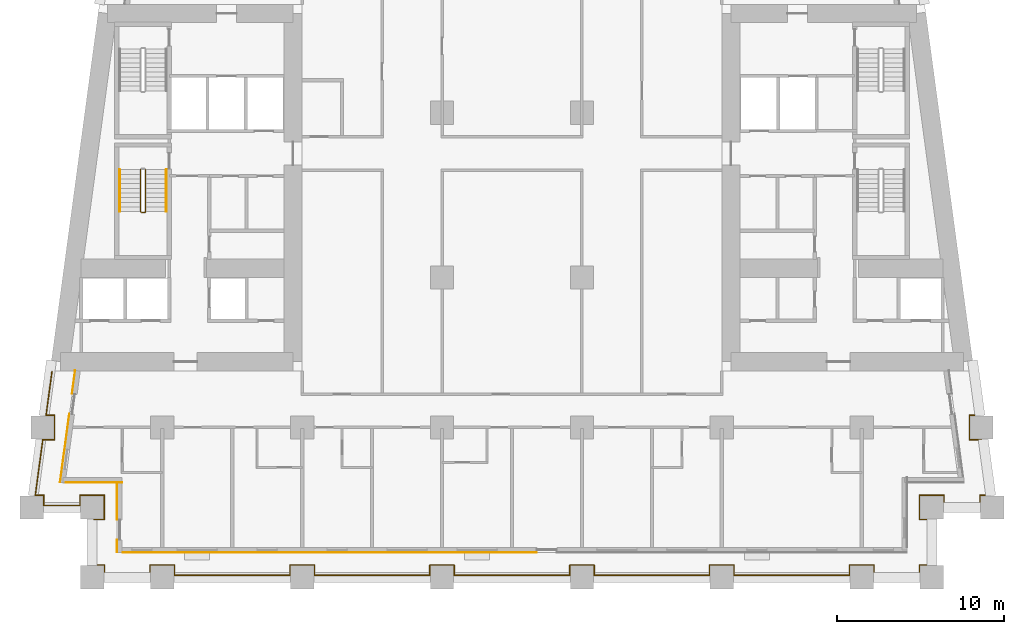
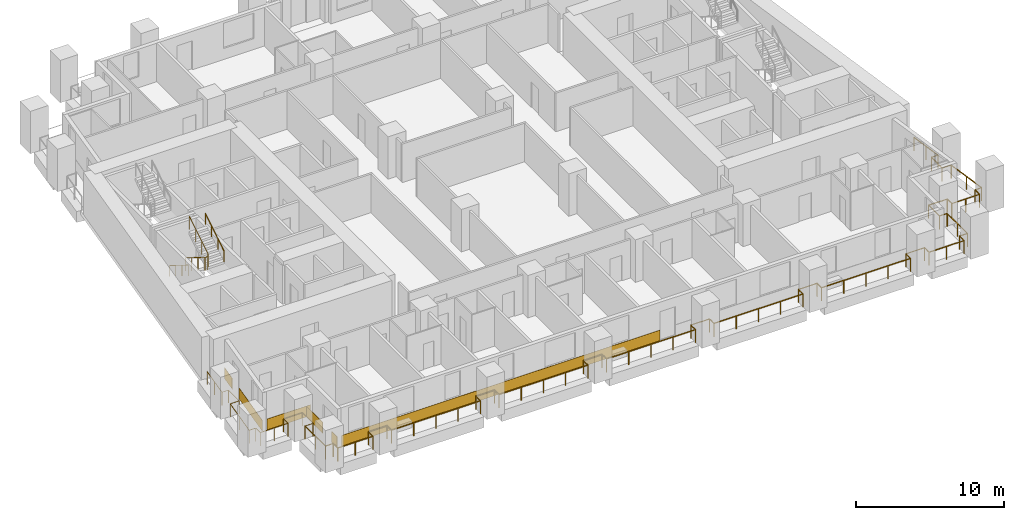
# One storey, part 8 of 12: 6 coverings, 5 railings.
"""IFC4 building model written with IfcOpenShell, lengths in metres."""

from ifc_helpers import new_model, si_unit, direction, frame, origin, origin_2d, place, context, subcontext, project, spatial, rectangle, circle, extrude, material, layer, layer_set, type_object, element, save


model = new_model("IFC4")

# Units and contexts
model_context = context("Model", 3, precision=1e-05, world=origin(), true_north=direction((0.0, 1.0)))
body_context = subcontext(model_context, "Body", "Model", "MODEL_VIEW")
ifc_project = project(units=[si_unit("LENGTHUNIT", "METRE"), si_unit("AREAUNIT", "SQUARE_METRE"), si_unit("VOLUMEUNIT", "CUBIC_METRE"), si_unit("PLANEANGLEUNIT", "RADIAN"), si_unit("MASSUNIT", "GRAM", prefix="KILO")], contexts=[model_context])

# Site, building, storey
site_placement = place(None, origin())
site = spatial("IfcSite", under=ifc_project, at=site_placement, CompositionType="ELEMENT")
building_placement = place(site_placement, origin())
building = spatial("IfcBuilding", under=site, at=building_placement, Name="Candeia Pilgrim Tower and Theatre", CompositionType="ELEMENT")
storey_placement = place(building_placement, frame((0.0, 0.0, 53.0)))
storey = spatial("IfcBuildingStorey", under=building, at=storey_placement, Name="L10", CompositionType="ELEMENT", Elevation=53.0)

# Railings
ifc_material_1 = material(Name="Stainless steel balustrade", Category="steel")
railing_type_1 = type_object("IfcRailingType", Name="G1 loggia guard 1100", PredefinedType="GUARDRAIL", material=ifc_material_1)
railing_1_placement = place(storey_placement, frame((88.320068359375, 101.469970703125, 0.0)))
element("IfcRailing", 1, at=railing_1_placement, inside=storey, type_object=railing_type_1, Name="Guard L10.1", PredefinedType="GUARDRAIL", context=body_context, shape_type="SweptSolid", body=[
    extrude(circle(Radius=0.02392578125, at=origin_2d()), frame((0.0, 0.0, 1.076171875), z_axis=(1.0, 0.0, 0.0), x_axis=(0.0, 1.0, 0.0)), (0.0, 0.0, 1.0), 0.60986328125),
    extrude(circle(Radius=0.02392578125, at=origin_2d()), frame((0.60986328125, 0.0, 1.076171875), z_axis=(0.0, 1.0, 0.0), x_axis=(-1.0, 0.0, 0.0)), (0.0, 0.0, 1.0), 1.4599609375),
    extrude(circle(Radius=0.02392578125, at=origin_2d()), frame((0.60986328125, 1.4599609375, 1.076171875), z_axis=(-1.0, 0.0, 0.0), x_axis=(0.0, -1.0, 0.0)), (0.0, 0.0, 1.0), 1.4599609375),
    extrude(circle(Radius=0.02392578125, at=origin_2d()), frame((-0.85009765625, 1.4599609375, 1.076171875), z_axis=(0.0, -1.0, 0.0), x_axis=(1.0, 0.0, 0.0)), (0.0, 0.0, 1.0), 0.60986328125),
    extrude(circle(Radius=0.02392578125, at=origin_2d()), frame((-0.85009765625, 0.85009765625, 1.076171875), z_axis=(-1.0, 0.0, 0.0), x_axis=(0.0, -1.0, 0.0)), (0.0, 0.0, 1.0), 2.174560546875),
    extrude(circle(Radius=0.02392578125, at=origin_2d()), frame((-3.024658203125, 0.85009765625, 1.076171875), z_axis=(0.0, 1.0, 0.0), x_axis=(-1.0, 0.0, 0.0)), (0.0, 0.0, 1.0), 0.60986328125),
    extrude(circle(Radius=0.02392578125, at=origin_2d()), frame((-3.024658203125, 1.4599609375, 1.076171875), z_axis=(-1.0, 0.0, 0.0), x_axis=(0.0, -1.0, 0.0)), (0.0, 0.0, 1.0), 0.5107421875),
    extrude(circle(Radius=0.02392578125, at=origin_2d()), frame((-3.535400390625, 1.4599609375, 1.076171875), z_axis=(0.133435273035, 0.991057530071, 0.0), x_axis=(-0.991057530071, 0.133435273035, 0.0)), (0.0, 0.0, 1.0), 3.3701171875),
    extrude(circle(Radius=0.02392578125, at=origin_2d()), frame((-3.085693359375, 4.800048828125, 1.076171875), z_axis=(1.0, 0.0, 0.0), x_axis=(0.0, 1.0, 0.0)), (0.0, 0.0, 1.0), 0.707275390625),
    extrude(circle(Radius=0.02392578125, at=origin_2d()), frame((-2.37841796875, 4.800048828125, 1.076171875), z_axis=(0.0, 1.0, 0.0), x_axis=(-1.0, 0.0, 0.0)), (0.0, 0.0, 1.0), 1.4599609375),
    extrude(circle(Radius=0.02392578125, at=origin_2d()), frame((-2.37841796875, 6.260009765625, 1.076171875), z_axis=(-1.0, 0.0, 0.0), x_axis=(0.0, -1.0, 0.0)), (0.0, 0.0, 1.0), 0.5107421875),
    extrude(circle(Radius=0.02392578125, at=origin_2d()), frame((-2.88916015625, 6.260009765625, 1.076171875), z_axis=(0.133439920495, 0.991056904329, 0.0), x_axis=(-0.991056904329, 0.133439920495, 0.0)), (0.0, 0.0, 1.0), 2.643798828125),
    extrude(circle(Radius=0.02099609375, at=origin_2d()), origin(), (0.0, 0.0, 1.0), 1.052001953125),
    extrude(circle(Radius=0.02099609375, at=origin_2d()), frame((0.60986328125, 0.0, 0.0)), (0.0, 0.0, 1.0), 1.052001953125),
    extrude(circle(Radius=0.02099609375, at=origin_2d()), frame((0.60986328125, 1.4599609375, 0.0)), (0.0, 0.0, 1.0), 1.052001953125),
    extrude(circle(Radius=0.02099609375, at=origin_2d()), frame((-0.85009765625, 1.4599609375, 0.0)), (0.0, 0.0, 1.0), 1.052001953125),
    extrude(circle(Radius=0.02099609375, at=origin_2d()), frame((-0.85009765625, 0.85009765625, 0.0)), (0.0, 0.0, 1.0), 1.052001953125),
    extrude(circle(Radius=0.02099609375, at=origin_2d()), frame((-1.9375, 0.85009765625, 0.0)), (0.0, 0.0, 1.0), 1.052001953125),
    extrude(circle(Radius=0.02099609375, at=origin_2d()), frame((-3.024658203125, 0.85009765625, 0.0)), (0.0, 0.0, 1.0), 1.052001953125),
    extrude(circle(Radius=0.02099609375, at=origin_2d()), frame((-3.024658203125, 1.4599609375, 0.0)), (0.0, 0.0, 1.0), 1.052001953125),
    extrude(circle(Radius=0.02099609375, at=origin_2d()), frame((-3.535400390625, 1.4599609375, 0.0)), (0.0, 0.0, 1.0), 1.052001953125),
    extrude(circle(Radius=0.02099609375, at=origin_2d()), frame((-3.310546875, 3.1298828125, 0.0)), (0.0, 0.0, 1.0), 1.052001953125),
    extrude(circle(Radius=0.02099609375, at=origin_2d()), frame((-3.085693359375, 4.800048828125, 0.0)), (0.0, 0.0, 1.0), 1.052001953125),
    extrude(circle(Radius=0.02099609375, at=origin_2d()), frame((-2.37841796875, 4.800048828125, 0.0)), (0.0, 0.0, 1.0), 1.052001953125),
    extrude(circle(Radius=0.02099609375, at=origin_2d()), frame((-2.37841796875, 6.260009765625, 0.0)), (0.0, 0.0, 1.0), 1.052001953125),
    extrude(circle(Radius=0.02099609375, at=origin_2d()), frame((-2.88916015625, 6.260009765625, 0.0)), (0.0, 0.0, 1.0), 1.052001953125),
    extrude(circle(Radius=0.02099609375, at=origin_2d()), frame((-2.712890625, 7.570068359375, 0.0)), (0.0, 0.0, 1.0), 1.052001953125),
    extrude(circle(Radius=0.02099609375, at=origin_2d()), frame((-2.536376953125, 8.880126953125, 0.0)), (0.0, 0.0, 1.0), 1.052001953125),
])
railing_2_placement = place(storey_placement, frame((141.016357421875, 110.35009765625, 0.0)))
element("IfcRailing", 2, at=railing_2_placement, inside=storey, type_object=railing_type_1, Name="Guard L10.4", PredefinedType="GUARDRAIL", context=body_context, shape_type="SweptSolid", body=[
    extrude(circle(Radius=0.02392578125, at=origin_2d()), frame((0.0, 0.0, 1.076171875), z_axis=(0.133439920495, -0.991056904329, 0.0), x_axis=(0.991056904329, 0.133439920495, 0.0)), (0.0, 0.0, 1.0), 2.643798828125),
    extrude(circle(Radius=0.02392578125, at=origin_2d()), frame((0.352783203125, -2.6201171875, 1.076171875), z_axis=(-1.0, 0.0, 0.0), x_axis=(0.0, -1.0, 0.0)), (0.0, 0.0, 1.0), 0.5107421875),
    extrude(circle(Radius=0.02392578125, at=origin_2d()), frame((-0.157958984375, -2.6201171875, 1.076171875), z_axis=(0.0, -1.0, 0.0), x_axis=(1.0, 0.0, 0.0)), (0.0, 0.0, 1.0), 1.4599609375),
    extrude(circle(Radius=0.02392578125, at=origin_2d()), frame((-0.157958984375, -4.080078125, 1.076171875), z_axis=(1.0, 0.0, 0.0), x_axis=(0.0, 1.0, 0.0)), (0.0, 0.0, 1.0), 0.707275390625),
    extrude(circle(Radius=0.02392578125, at=origin_2d()), frame((0.54931640625, -4.080078125, 1.076171875), z_axis=(0.133435273035, -0.991057530071, 0.0), x_axis=(0.991057530071, 0.133435273035, 0.0)), (0.0, 0.0, 1.0), 3.3701171875),
    extrude(circle(Radius=0.02392578125, at=origin_2d()), frame((0.9990234375, -7.420166015625, 1.076171875), z_axis=(-1.0, 0.0, 0.0), x_axis=(0.0, -1.0, 0.0)), (0.0, 0.0, 1.0), 0.5107421875),
    extrude(circle(Radius=0.02392578125, at=origin_2d()), frame((0.48828125, -7.420166015625, 1.076171875), z_axis=(0.0, -1.0, 0.0), x_axis=(1.0, 0.0, 0.0)), (0.0, 0.0, 1.0), 0.60986328125),
    extrude(circle(Radius=0.02392578125, at=origin_2d()), frame((0.48828125, -8.030029296875, 1.076171875), z_axis=(-1.0, 0.0, 0.0), x_axis=(0.0, -1.0, 0.0)), (0.0, 0.0, 1.0), 2.174560546875),
    extrude(circle(Radius=0.02392578125, at=origin_2d()), frame((-1.686279296875, -8.030029296875, 1.076171875), z_axis=(0.0, 1.0, 0.0), x_axis=(-1.0, 0.0, 0.0)), (0.0, 0.0, 1.0), 0.60986328125),
    extrude(circle(Radius=0.02392578125, at=origin_2d()), frame((-1.686279296875, -7.420166015625, 1.076171875), z_axis=(-1.0, 0.0, 0.0), x_axis=(0.0, -1.0, 0.0)), (0.0, 0.0, 1.0), 1.4599609375),
    extrude(circle(Radius=0.02392578125, at=origin_2d()), frame((-3.146240234375, -7.420166015625, 1.076171875), z_axis=(0.0, -1.0, 0.0), x_axis=(1.0, 0.0, 0.0)), (0.0, 0.0, 1.0), 1.4599609375),
    extrude(circle(Radius=0.02392578125, at=origin_2d()), frame((-3.146240234375, -8.880126953125, 1.076171875), z_axis=(1.0, 0.0, 0.0), x_axis=(0.0, 1.0, 0.0)), (0.0, 0.0, 1.0), 0.60986328125),
    extrude(circle(Radius=0.02392578125, at=origin_2d()), frame((-2.536376953125, -8.880126953125, 1.076171875), z_axis=(0.0, -1.0, 0.0), x_axis=(1.0, 0.0, 0.0)), (0.0, 0.0, 1.0), 2.739990234375),
    extrude(circle(Radius=0.02392578125, at=origin_2d()), frame((-2.536376953125, -11.6201171875, 1.076171875), z_axis=(-1.0, 0.0, 0.0), x_axis=(0.0, -1.0, 0.0)), (0.0, 0.0, 1.0), 0.60986328125),
    extrude(circle(Radius=0.02392578125, at=origin_2d()), frame((-3.146240234375, -11.6201171875, 1.076171875), z_axis=(0.0, -1.0, 0.0), x_axis=(1.0, 0.0, 0.0)), (0.0, 0.0, 1.0), 0.60986328125),
    extrude(circle(Radius=0.02392578125, at=origin_2d()), frame((-3.146240234375, -12.22998046875, 1.076171875), z_axis=(-1.0, 0.0, 0.0), x_axis=(0.0, -1.0, 0.0)), (0.0, 0.0, 1.0), 2.740234375),
    extrude(circle(Radius=0.02392578125, at=origin_2d()), frame((-5.886474609375, -12.22998046875, 1.076171875), z_axis=(0.0, 1.0, 0.0), x_axis=(-1.0, 0.0, 0.0)), (0.0, 0.0, 1.0), 0.60986328125),
    extrude(circle(Radius=0.02392578125, at=origin_2d()), frame((-5.886474609375, -11.6201171875, 1.076171875), z_axis=(-1.0, 0.0, 0.0), x_axis=(0.0, -1.0, 0.0)), (0.0, 0.0, 1.0), 1.4599609375),
    extrude(circle(Radius=0.02392578125, at=origin_2d()), frame((-7.346435546875, -11.6201171875, 1.076171875), z_axis=(0.0, -1.0, 0.0), x_axis=(1.0, 0.0, 0.0)), (0.0, 0.0, 1.0), 0.60986328125),
    extrude(circle(Radius=0.02392578125, at=origin_2d()), frame((-7.346435546875, -12.22998046875, 1.076171875), z_axis=(-1.0, 0.0, 0.0), x_axis=(0.0, -1.0, 0.0)), (0.0, 0.0, 1.0), 6.93994140625),
    extrude(circle(Radius=0.02392578125, at=origin_2d()), frame((-14.286376953125, -12.22998046875, 1.076171875), z_axis=(0.0, 1.0, 0.0), x_axis=(-1.0, 0.0, 0.0)), (0.0, 0.0, 1.0), 0.60986328125),
    extrude(circle(Radius=0.02392578125, at=origin_2d()), frame((-14.286376953125, -11.6201171875, 1.076171875), z_axis=(-1.0, 0.0, 0.0), x_axis=(0.0, -1.0, 0.0)), (0.0, 0.0, 1.0), 1.4599609375),
    extrude(circle(Radius=0.02392578125, at=origin_2d()), frame((-15.746337890625, -11.6201171875, 1.076171875), z_axis=(0.0, -1.0, 0.0), x_axis=(1.0, 0.0, 0.0)), (0.0, 0.0, 1.0), 0.60986328125),
    extrude(circle(Radius=0.02392578125, at=origin_2d()), frame((-15.746337890625, -12.22998046875, 1.076171875), z_axis=(-1.0, 0.0, 0.0), x_axis=(0.0, -1.0, 0.0)), (0.0, 0.0, 1.0), 6.93994140625),
    extrude(circle(Radius=0.02392578125, at=origin_2d()), frame((-22.686279296875, -12.22998046875, 1.076171875), z_axis=(0.0, 1.0, 0.0), x_axis=(-1.0, 0.0, 0.0)), (0.0, 0.0, 1.0), 0.60986328125),
    extrude(circle(Radius=0.02392578125, at=origin_2d()), frame((-22.686279296875, -11.6201171875, 1.076171875), z_axis=(-1.0, 0.0, 0.0), x_axis=(0.0, -1.0, 0.0)), (0.0, 0.0, 1.0), 1.4599609375),
    extrude(circle(Radius=0.02392578125, at=origin_2d()), frame((-24.146240234375, -11.6201171875, 1.076171875), z_axis=(0.0, -1.0, 0.0), x_axis=(1.0, 0.0, 0.0)), (0.0, 0.0, 1.0), 0.60986328125),
    extrude(circle(Radius=0.02392578125, at=origin_2d()), frame((-24.146240234375, -12.22998046875, 1.076171875), z_axis=(-1.0, 0.0, 0.0), x_axis=(0.0, -1.0, 0.0)), (0.0, 0.0, 1.0), 6.940185546875),
    extrude(circle(Radius=0.02392578125, at=origin_2d()), frame((-31.08642578125, -12.22998046875, 1.076171875), z_axis=(0.0, 1.0, 0.0), x_axis=(-1.0, 0.0, 0.0)), (0.0, 0.0, 1.0), 0.60986328125),
    extrude(circle(Radius=0.02392578125, at=origin_2d()), frame((-31.08642578125, -11.6201171875, 1.076171875), z_axis=(-1.0, 0.0, 0.0), x_axis=(0.0, -1.0, 0.0)), (0.0, 0.0, 1.0), 1.4599609375),
    extrude(circle(Radius=0.02392578125, at=origin_2d()), frame((-32.54638671875, -11.6201171875, 1.076171875), z_axis=(0.0, -1.0, 0.0), x_axis=(1.0, 0.0, 0.0)), (0.0, 0.0, 1.0), 0.60986328125),
    extrude(circle(Radius=0.02392578125, at=origin_2d()), frame((-32.54638671875, -12.22998046875, 1.076171875), z_axis=(-1.0, 0.0, 0.0), x_axis=(0.0, -1.0, 0.0)), (0.0, 0.0, 1.0), 6.93994140625),
    extrude(circle(Radius=0.02392578125, at=origin_2d()), frame((-39.486328125, -12.22998046875, 1.076171875), z_axis=(0.0, 1.0, 0.0), x_axis=(-1.0, 0.0, 0.0)), (0.0, 0.0, 1.0), 0.60986328125),
    extrude(circle(Radius=0.02392578125, at=origin_2d()), frame((-39.486328125, -11.6201171875, 1.076171875), z_axis=(-1.0, 0.0, 0.0), x_axis=(0.0, -1.0, 0.0)), (0.0, 0.0, 1.0), 1.4599609375),
    extrude(circle(Radius=0.02392578125, at=origin_2d()), frame((-40.9462890625, -11.6201171875, 1.076171875), z_axis=(0.0, -1.0, 0.0), x_axis=(1.0, 0.0, 0.0)), (0.0, 0.0, 1.0), 0.60986328125),
    extrude(circle(Radius=0.02392578125, at=origin_2d()), frame((-40.9462890625, -12.22998046875, 1.076171875), z_axis=(-1.0, 0.0, 0.0), x_axis=(0.0, -1.0, 0.0)), (0.0, 0.0, 1.0), 6.940185546875),
    extrude(circle(Radius=0.02392578125, at=origin_2d()), frame((-47.886474609375, -12.22998046875, 1.076171875), z_axis=(0.0, 1.0, 0.0), x_axis=(-1.0, 0.0, 0.0)), (0.0, 0.0, 1.0), 0.60986328125),
    extrude(circle(Radius=0.02392578125, at=origin_2d()), frame((-47.886474609375, -11.6201171875, 1.076171875), z_axis=(-1.0, 0.0, 0.0), x_axis=(0.0, -1.0, 0.0)), (0.0, 0.0, 1.0), 1.4599609375),
    extrude(circle(Radius=0.02392578125, at=origin_2d()), frame((-49.346435546875, -11.6201171875, 1.076171875), z_axis=(0.0, -1.0, 0.0), x_axis=(1.0, 0.0, 0.0)), (0.0, 0.0, 1.0), 0.60986328125),
    extrude(circle(Radius=0.02392578125, at=origin_2d()), frame((-49.346435546875, -12.22998046875, 1.076171875), z_axis=(-1.0, 0.0, 0.0), x_axis=(0.0, -1.0, 0.0)), (0.0, 0.0, 1.0), 2.739990234375),
    extrude(circle(Radius=0.02392578125, at=origin_2d()), frame((-52.08642578125, -12.22998046875, 1.076171875), z_axis=(0.0, 1.0, 0.0), x_axis=(-1.0, 0.0, 0.0)), (0.0, 0.0, 1.0), 0.60986328125),
    extrude(circle(Radius=0.02392578125, at=origin_2d()), frame((-52.08642578125, -11.6201171875, 1.076171875), z_axis=(-1.0, 0.0, 0.0), x_axis=(0.0, -1.0, 0.0)), (0.0, 0.0, 1.0), 0.60986328125),
    extrude(circle(Radius=0.02392578125, at=origin_2d()), frame((-52.6962890625, -11.6201171875, 1.076171875), z_axis=(0.0, 1.0, 0.0), x_axis=(-1.0, 0.0, 0.0)), (0.0, 0.0, 1.0), 2.739990234375),
    extrude(circle(Radius=0.02099609375, at=origin_2d()), origin(), (0.0, 0.0, 1.0), 1.052001953125),
    extrude(circle(Radius=0.02099609375, at=origin_2d()), frame((0.17626953125, -1.31005859375, 0.0)), (0.0, 0.0, 1.0), 1.052001953125),
    extrude(circle(Radius=0.02099609375, at=origin_2d()), frame((0.352783203125, -2.6201171875, 0.0)), (0.0, 0.0, 1.0), 1.052001953125),
    extrude(circle(Radius=0.02099609375, at=origin_2d()), frame((-0.157958984375, -2.6201171875, 0.0)), (0.0, 0.0, 1.0), 1.052001953125),
    extrude(circle(Radius=0.02099609375, at=origin_2d()), frame((-0.157958984375, -4.080078125, 0.0)), (0.0, 0.0, 1.0), 1.052001953125),
    extrude(circle(Radius=0.02099609375, at=origin_2d()), frame((0.54931640625, -4.080078125, 0.0)), (0.0, 0.0, 1.0), 1.052001953125),
    extrude(circle(Radius=0.02099609375, at=origin_2d()), frame((0.774169921875, -5.75, 0.0)), (0.0, 0.0, 1.0), 1.052001953125),
    extrude(circle(Radius=0.02099609375, at=origin_2d()), frame((0.9990234375, -7.420166015625, 0.0)), (0.0, 0.0, 1.0), 1.052001953125),
    extrude(circle(Radius=0.02099609375, at=origin_2d()), frame((0.48828125, -7.420166015625, 0.0)), (0.0, 0.0, 1.0), 1.052001953125),
    extrude(circle(Radius=0.02099609375, at=origin_2d()), frame((0.48828125, -8.030029296875, 0.0)), (0.0, 0.0, 1.0), 1.052001953125),
    extrude(circle(Radius=0.02099609375, at=origin_2d()), frame((-0.59912109375, -8.030029296875, 0.0)), (0.0, 0.0, 1.0), 1.052001953125),
    extrude(circle(Radius=0.02099609375, at=origin_2d()), frame((-1.686279296875, -8.030029296875, 0.0)), (0.0, 0.0, 1.0), 1.052001953125),
    extrude(circle(Radius=0.02099609375, at=origin_2d()), frame((-1.686279296875, -7.420166015625, 0.0)), (0.0, 0.0, 1.0), 1.052001953125),
    extrude(circle(Radius=0.02099609375, at=origin_2d()), frame((-3.146240234375, -7.420166015625, 0.0)), (0.0, 0.0, 1.0), 1.052001953125),
    extrude(circle(Radius=0.02099609375, at=origin_2d()), frame((-3.146240234375, -8.880126953125, 0.0)), (0.0, 0.0, 1.0), 1.052001953125),
    extrude(circle(Radius=0.02099609375, at=origin_2d()), frame((-2.536376953125, -8.880126953125, 0.0)), (0.0, 0.0, 1.0), 1.052001953125),
    extrude(circle(Radius=0.02099609375, at=origin_2d()), frame((-2.536376953125, -10.25, 0.0)), (0.0, 0.0, 1.0), 1.052001953125),
    extrude(circle(Radius=0.02099609375, at=origin_2d()), frame((-2.536376953125, -11.6201171875, 0.0)), (0.0, 0.0, 1.0), 1.052001953125),
    extrude(circle(Radius=0.02099609375, at=origin_2d()), frame((-3.146240234375, -11.6201171875, 0.0)), (0.0, 0.0, 1.0), 1.052001953125),
    extrude(circle(Radius=0.02099609375, at=origin_2d()), frame((-3.146240234375, -12.22998046875, 0.0)), (0.0, 0.0, 1.0), 1.052001953125),
    extrude(circle(Radius=0.02099609375, at=origin_2d()), frame((-4.516357421875, -12.22998046875, 0.0)), (0.0, 0.0, 1.0), 1.052001953125),
    extrude(circle(Radius=0.02099609375, at=origin_2d()), frame((-5.886474609375, -12.22998046875, 0.0)), (0.0, 0.0, 1.0), 1.052001953125),
    extrude(circle(Radius=0.02099609375, at=origin_2d()), frame((-5.886474609375, -11.6201171875, 0.0)), (0.0, 0.0, 1.0), 1.052001953125),
    extrude(circle(Radius=0.02099609375, at=origin_2d()), frame((-7.346435546875, -11.6201171875, 0.0)), (0.0, 0.0, 1.0), 1.052001953125),
    extrude(circle(Radius=0.02099609375, at=origin_2d()), frame((-7.346435546875, -12.22998046875, 0.0)), (0.0, 0.0, 1.0), 1.052001953125),
    extrude(circle(Radius=0.02099609375, at=origin_2d()), frame((-9.08154296875, -12.22998046875, 0.0)), (0.0, 0.0, 1.0), 1.052001953125),
    extrude(circle(Radius=0.02099609375, at=origin_2d()), frame((-10.81640625, -12.22998046875, 0.0)), (0.0, 0.0, 1.0), 1.052001953125),
    extrude(circle(Radius=0.02099609375, at=origin_2d()), frame((-12.55126953125, -12.22998046875, 0.0)), (0.0, 0.0, 1.0), 1.052001953125),
    extrude(circle(Radius=0.02099609375, at=origin_2d()), frame((-14.286376953125, -12.22998046875, 0.0)), (0.0, 0.0, 1.0), 1.052001953125),
    extrude(circle(Radius=0.02099609375, at=origin_2d()), frame((-14.286376953125, -11.6201171875, 0.0)), (0.0, 0.0, 1.0), 1.052001953125),
    extrude(circle(Radius=0.02099609375, at=origin_2d()), frame((-15.746337890625, -11.6201171875, 0.0)), (0.0, 0.0, 1.0), 1.052001953125),
    extrude(circle(Radius=0.02099609375, at=origin_2d()), frame((-15.746337890625, -12.22998046875, 0.0)), (0.0, 0.0, 1.0), 1.052001953125),
    extrude(circle(Radius=0.02099609375, at=origin_2d()), frame((-17.4814453125, -12.22998046875, 0.0)), (0.0, 0.0, 1.0), 1.052001953125),
    extrude(circle(Radius=0.02099609375, at=origin_2d()), frame((-19.21630859375, -12.22998046875, 0.0)), (0.0, 0.0, 1.0), 1.052001953125),
    extrude(circle(Radius=0.02099609375, at=origin_2d()), frame((-20.951171875, -12.22998046875, 0.0)), (0.0, 0.0, 1.0), 1.052001953125),
    extrude(circle(Radius=0.02099609375, at=origin_2d()), frame((-22.686279296875, -12.22998046875, 0.0)), (0.0, 0.0, 1.0), 1.052001953125),
    extrude(circle(Radius=0.02099609375, at=origin_2d()), frame((-22.686279296875, -11.6201171875, 0.0)), (0.0, 0.0, 1.0), 1.052001953125),
    extrude(circle(Radius=0.02099609375, at=origin_2d()), frame((-24.146240234375, -11.6201171875, 0.0)), (0.0, 0.0, 1.0), 1.052001953125),
    extrude(circle(Radius=0.02099609375, at=origin_2d()), frame((-24.146240234375, -12.22998046875, 0.0)), (0.0, 0.0, 1.0), 1.052001953125),
    extrude(circle(Radius=0.02099609375, at=origin_2d()), frame((-25.88134765625, -12.22998046875, 0.0)), (0.0, 0.0, 1.0), 1.052001953125),
    extrude(circle(Radius=0.02099609375, at=origin_2d()), frame((-27.6162109375, -12.22998046875, 0.0)), (0.0, 0.0, 1.0), 1.052001953125),
    extrude(circle(Radius=0.02099609375, at=origin_2d()), frame((-29.351318359375, -12.22998046875, 0.0)), (0.0, 0.0, 1.0), 1.052001953125),
    extrude(circle(Radius=0.02099609375, at=origin_2d()), frame((-31.08642578125, -12.22998046875, 0.0)), (0.0, 0.0, 1.0), 1.052001953125),
    extrude(circle(Radius=0.02099609375, at=origin_2d()), frame((-31.08642578125, -11.6201171875, 0.0)), (0.0, 0.0, 1.0), 1.052001953125),
    extrude(circle(Radius=0.02099609375, at=origin_2d()), frame((-32.54638671875, -11.6201171875, 0.0)), (0.0, 0.0, 1.0), 1.052001953125),
    extrude(circle(Radius=0.02099609375, at=origin_2d()), frame((-32.54638671875, -12.22998046875, 0.0)), (0.0, 0.0, 1.0), 1.052001953125),
    extrude(circle(Radius=0.02099609375, at=origin_2d()), frame((-34.28125, -12.22998046875, 0.0)), (0.0, 0.0, 1.0), 1.052001953125),
    extrude(circle(Radius=0.02099609375, at=origin_2d()), frame((-36.016357421875, -12.22998046875, 0.0)), (0.0, 0.0, 1.0), 1.052001953125),
    extrude(circle(Radius=0.02099609375, at=origin_2d()), frame((-37.75146484375, -12.22998046875, 0.0)), (0.0, 0.0, 1.0), 1.052001953125),
    extrude(circle(Radius=0.02099609375, at=origin_2d()), frame((-39.486328125, -12.22998046875, 0.0)), (0.0, 0.0, 1.0), 1.052001953125),
    extrude(circle(Radius=0.02099609375, at=origin_2d()), frame((-39.486328125, -11.6201171875, 0.0)), (0.0, 0.0, 1.0), 1.052001953125),
    extrude(circle(Radius=0.02099609375, at=origin_2d()), frame((-40.9462890625, -11.6201171875, 0.0)), (0.0, 0.0, 1.0), 1.052001953125),
    extrude(circle(Radius=0.02099609375, at=origin_2d()), frame((-40.9462890625, -12.22998046875, 0.0)), (0.0, 0.0, 1.0), 1.052001953125),
    extrude(circle(Radius=0.02099609375, at=origin_2d()), frame((-42.681396484375, -12.22998046875, 0.0)), (0.0, 0.0, 1.0), 1.052001953125),
    extrude(circle(Radius=0.02099609375, at=origin_2d()), frame((-44.41650390625, -12.22998046875, 0.0)), (0.0, 0.0, 1.0), 1.052001953125),
    extrude(circle(Radius=0.02099609375, at=origin_2d()), frame((-46.1513671875, -12.22998046875, 0.0)), (0.0, 0.0, 1.0), 1.052001953125),
    extrude(circle(Radius=0.02099609375, at=origin_2d()), frame((-47.886474609375, -12.22998046875, 0.0)), (0.0, 0.0, 1.0), 1.052001953125),
    extrude(circle(Radius=0.02099609375, at=origin_2d()), frame((-47.886474609375, -11.6201171875, 0.0)), (0.0, 0.0, 1.0), 1.052001953125),
    extrude(circle(Radius=0.02099609375, at=origin_2d()), frame((-49.346435546875, -11.6201171875, 0.0)), (0.0, 0.0, 1.0), 1.052001953125),
    extrude(circle(Radius=0.02099609375, at=origin_2d()), frame((-49.346435546875, -12.22998046875, 0.0)), (0.0, 0.0, 1.0), 1.052001953125),
    extrude(circle(Radius=0.02099609375, at=origin_2d()), frame((-50.71630859375, -12.22998046875, 0.0)), (0.0, 0.0, 1.0), 1.052001953125),
    extrude(circle(Radius=0.02099609375, at=origin_2d()), frame((-52.08642578125, -12.22998046875, 0.0)), (0.0, 0.0, 1.0), 1.052001953125),
    extrude(circle(Radius=0.02099609375, at=origin_2d()), frame((-52.08642578125, -11.6201171875, 0.0)), (0.0, 0.0, 1.0), 1.052001953125),
    extrude(circle(Radius=0.02099609375, at=origin_2d()), frame((-52.6962890625, -11.6201171875, 0.0)), (0.0, 0.0, 1.0), 1.052001953125),
    extrude(circle(Radius=0.02099609375, at=origin_2d()), frame((-52.6962890625, -10.25, 0.0)), (0.0, 0.0, 1.0), 1.052001953125),
    extrude(circle(Radius=0.02099609375, at=origin_2d()), frame((-52.6962890625, -8.880126953125, 0.0)), (0.0, 0.0, 1.0), 1.052001953125),
])

# Coverings
ifc_material_2 = material(Name="Glazed ceramic tile deep red")
ifc_layer = layer(ifc_material_2, 0.02001953125)
ifc_layer_set = layer_set([ifc_layer], Name="Glazed ceramic tile deep red")
covering_type = type_object("IfcCoveringType", Name="Glazed ceramic tile deep red", PredefinedType="CLADDING", material=ifc_layer_set)
covering_1_placement = place(storey_placement, frame((102.4599609375, 99.489990234375, 0.0), z_axis=(0.0, 0.0, 1.0), x_axis=(1.0, 0.0, 0.0)))
element("IfcCovering", 3, at=covering_1_placement, inside=storey, type_object=covering_type, Name="Tile cladding deep red L10", PredefinedType="CLADDING", context=body_context, shape_type="SweptSolid", body=[
    extrude(rectangle(XDim=24.8798828125, YDim=0.02001953125, at=origin_2d()), origin(), (0.0, 0.0, 1.0), 0.89990234375),
])
covering_2_placement = place(storey_placement, frame((87.0810546875, 109.71875, 0.0), z_axis=(0.0, 0.0, 1.0), x_axis=(-0.133412012145, -0.991060661622, 0.0)))
element("IfcCovering", 4, at=covering_2_placement, inside=storey, type_object=covering_type, Name="Tile cladding deep red L10", PredefinedType="CLADDING", context=body_context, shape_type="SweptSolid", body=[
    extrude(rectangle(XDim=1.41796875, YDim=0.02001953125, at=origin_2d()), origin(), (0.0, 0.0, 1.0), 0.89990234375),
])
covering_3_placement = place(storey_placement, frame((86.548583984375, 105.763916015625, 0.0), z_axis=(0.0, 0.0, 1.0), x_axis=(-0.133412012145, -0.991060661622, 0.0)))
element("IfcCovering", 5, at=covering_3_placement, inside=storey, type_object=covering_type, Name="Tile cladding deep red L10", PredefinedType="CLADDING", context=body_context, shape_type="SweptSolid", body=[
    extrude(rectangle(XDim=4.16259765625, YDim=0.02001953125, at=origin_2d()), origin(), (0.0, 0.0, 1.0), 0.89990234375),
])
covering_4_placement = place(storey_placement, frame((88.311279296875, 103.68994140625, 0.0), z_axis=(0.0, 0.0, 1.0), x_axis=(1.0, 0.0, 0.0)))
element("IfcCovering", 6, at=covering_4_placement, inside=storey, type_object=covering_type, Name="Tile cladding deep red L10", PredefinedType="CLADDING", context=body_context, shape_type="SweptSolid", body=[
    extrude(rectangle(XDim=3.377685546875, YDim=0.02001953125, at=origin_2d()), origin(), (0.0, 0.0, 1.0), 0.89990234375),
])
covering_5_placement = place(storey_placement, frame((89.68994140625, 102.56494140625, 0.0), z_axis=(0.0, 0.0, 1.0), x_axis=(0.0, -1.0, 0.0)))
element("IfcCovering", 7, at=covering_5_placement, inside=storey, type_object=covering_type, Name="Tile cladding deep red L10", PredefinedType="CLADDING", context=body_context, shape_type="SweptSolid", body=[
    extrude(rectangle(XDim=2.22998046875, YDim=0.02001953125, at=origin_2d()), origin(), (0.0, 0.0, 1.0), 0.89990234375),
])
covering_6_placement = place(storey_placement, frame((89.68994140625, 99.875, 0.0), z_axis=(0.0, 0.0, 1.0), x_axis=(0.0, -1.0, 0.0)))
element("IfcCovering", 8, at=covering_6_placement, inside=storey, type_object=covering_type, Name="Tile cladding deep red L10", PredefinedType="CLADDING", context=body_context, shape_type="SweptSolid", body=[
    extrude(rectangle(XDim=0.75, YDim=0.02001953125, at=origin_2d()), origin(), (0.0, 0.0, 1.0), 0.89990234375),
])

# Railings
railing_type_2 = type_object("IfcRailingType", Name="RL-GUARD-1100", PredefinedType="GUARDRAIL", material=ifc_material_1)
railing_3_placement = place(storey_placement, frame((91.10205078125, 122.47509765625, 0.175048828125)))
element("IfcRailing", 9, at=railing_3_placement, inside=storey, type_object=railing_type_2, Name="L10 ST1 stair guard 1", PredefinedType="GUARDRAIL", context=body_context, shape_type="SweptSolid", body=[
    extrude(circle(Radius=0.02392578125, at=origin_2d()), frame((0.0, 0.0, 1.076171875), z_axis=(0.0, -0.848007534815, 0.529984170421), x_axis=(1.0, 0.0, 0.0)), (0.0, 0.0, 1.0), 2.9716796875),
    extrude(circle(Radius=0.02392578125, at=origin_2d()), frame((0.0, -2.52001953125, 2.65087890625), z_axis=(0.707106781187, -0.707106781187, 0.0), x_axis=(0.707106781187, 0.707106781187, 0.0)), (0.0, 0.0, 1.0), 0.07080078125),
    extrude(circle(Radius=0.02392578125, at=origin_2d()), frame((0.050048828125, -2.570068359375, 2.65087890625), z_axis=(1.0, 0.0, 0.0), x_axis=(0.0, 1.0, 0.0)), (0.0, 0.0, 1.0), 0.199951171875),
    extrude(circle(Radius=0.02392578125, at=origin_2d()), frame((0.25, -2.570068359375, 2.65087890625), z_axis=(0.265065253269, 0.265065253269, 0.927081885822), x_axis=(-0.707106781187, 0.707106781187, 0.0)), (0.0, 0.0, 1.0), 0.188720703125),
    extrude(circle(Radius=0.02392578125, at=origin_2d()), frame((0.300048828125, -2.52001953125, 2.826171875), z_axis=(0.0, 0.848007534815, 0.529984170421), x_axis=(-1.0, 0.0, 0.0)), (0.0, 0.0, 1.0), 2.9716796875),
    extrude(circle(Radius=0.02099609375, at=origin_2d()), origin(), (0.0, 0.0, 1.0), 1.052001953125),
    extrude(circle(Radius=0.02099609375, at=origin_2d()), frame((0.0, -0.840087890625, 0.52490234375)), (0.0, 0.0, 1.0), 1.052001953125),
    extrude(circle(Radius=0.02099609375, at=origin_2d()), frame((0.0, -1.679931640625, 1.050048828125)), (0.0, 0.0, 1.0), 1.052001953125),
    extrude(circle(Radius=0.02099609375, at=origin_2d()), frame((0.0, -2.52001953125, 1.574951171875)), (0.0, 0.0, 1.0), 1.052001953125),
    extrude(circle(Radius=0.02099609375, at=origin_2d()), frame((0.050048828125, -2.570068359375, 1.574951171875)), (0.0, 0.0, 1.0), 1.052001953125),
    extrude(circle(Radius=0.02099609375, at=origin_2d()), frame((0.25, -2.570068359375, 1.574951171875)), (0.0, 0.0, 1.0), 1.052001953125),
    extrude(circle(Radius=0.02099609375, at=origin_2d()), frame((0.300048828125, -2.52001953125, 1.75)), (0.0, 0.0, 1.0), 1.052001953125),
    extrude(circle(Radius=0.02099609375, at=origin_2d()), frame((0.300048828125, -1.679931640625, 2.27490234375)), (0.0, 0.0, 1.0), 1.052001953125),
    extrude(circle(Radius=0.02099609375, at=origin_2d()), frame((0.300048828125, -0.840087890625, 2.800048828125)), (0.0, 0.0, 1.0), 1.052001953125),
    extrude(circle(Radius=0.02099609375, at=origin_2d()), frame((0.300048828125, 0.0, 3.324951171875)), (0.0, 0.0, 1.0), 1.052001953125),
])
ifc_material_3 = material(Name="Stainless steel handrail", Category="steel")
railing_type_3 = type_object("IfcRailingType", Name="RL-HANDRAIL-900", PredefinedType="HANDRAIL", material=ifc_material_3)
railing_4_placement = place(storey_placement, frame((89.85205078125, 122.47509765625, 0.175048828125)))
element("IfcRailing", 10, at=railing_4_placement, inside=storey, type_object=railing_type_3, Name="L10 ST1 stair handrail 1", PredefinedType="HANDRAIL", context=body_context, shape_type="SweptSolid", body=[
    extrude(circle(Radius=0.02392578125, at=origin_2d()), frame((0.0, 0.0, 0.8759765625), z_axis=(0.0, -0.848007534815, 0.529984170421), x_axis=(1.0, 0.0, 0.0)), (0.0, 0.0, 1.0), 2.9716796875),
    extrude(circle(Radius=0.02099609375, at=origin_2d()), origin(), (0.0, 0.0, 1.0), 0.851806640625),
    extrude(circle(Radius=0.02099609375, at=origin_2d()), frame((0.0, -0.840087890625, 0.52490234375)), (0.0, 0.0, 1.0), 0.851806640625),
    extrude(circle(Radius=0.02099609375, at=origin_2d()), frame((0.0, -1.679931640625, 1.050048828125)), (0.0, 0.0, 1.0), 0.851806640625),
    extrude(circle(Radius=0.02099609375, at=origin_2d()), frame((0.0, -2.52001953125, 1.574951171875)), (0.0, 0.0, 1.0), 0.851806640625),
])
railing_5_placement = place(storey_placement, frame((92.652099609375, 119.955078125, 1.925048828125)))
element("IfcRailing", 11, at=railing_5_placement, inside=storey, type_object=railing_type_3, Name="L10 ST1 stair handrail 2", PredefinedType="HANDRAIL", context=body_context, shape_type="SweptSolid", body=[
    extrude(circle(Radius=0.02392578125, at=origin_2d()), frame((0.0, 0.0, 0.8759765625), z_axis=(0.0, 0.848007534815, 0.529984170421), x_axis=(-1.0, 0.0, 0.0)), (0.0, 0.0, 1.0), 2.9716796875),
    extrude(circle(Radius=0.02099609375, at=origin_2d()), origin(), (0.0, 0.0, 1.0), 0.851806640625),
    extrude(circle(Radius=0.02099609375, at=origin_2d()), frame((0.0, 0.840087890625, 0.52490234375)), (0.0, 0.0, 1.0), 0.851806640625),
    extrude(circle(Radius=0.02099609375, at=origin_2d()), frame((0.0, 1.679931640625, 1.050048828125)), (0.0, 0.0, 1.0), 0.851806640625),
    extrude(circle(Radius=0.02099609375, at=origin_2d()), frame((0.0, 2.52001953125, 1.574951171875)), (0.0, 0.0, 1.0), 0.851806640625),
])

save(model, "model.ifc")
